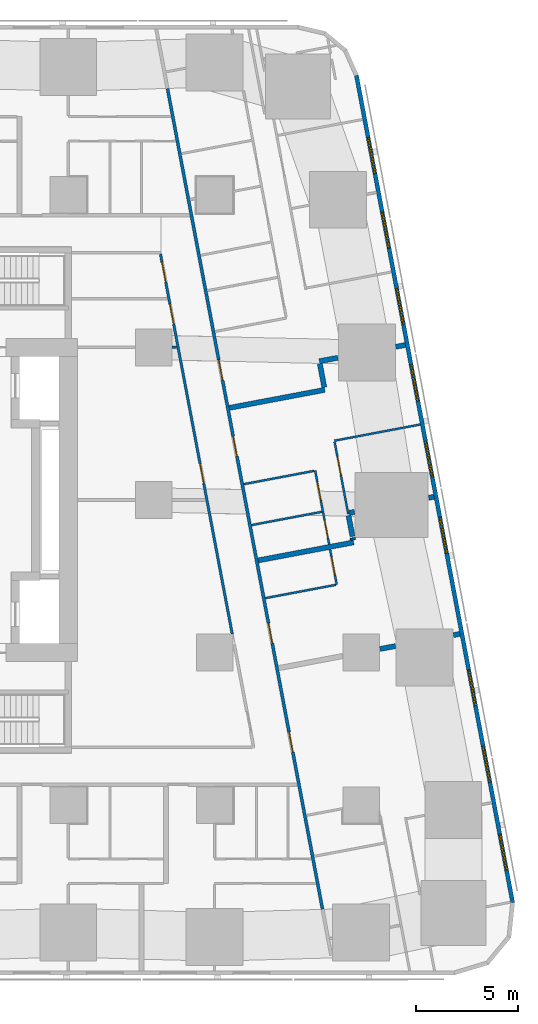
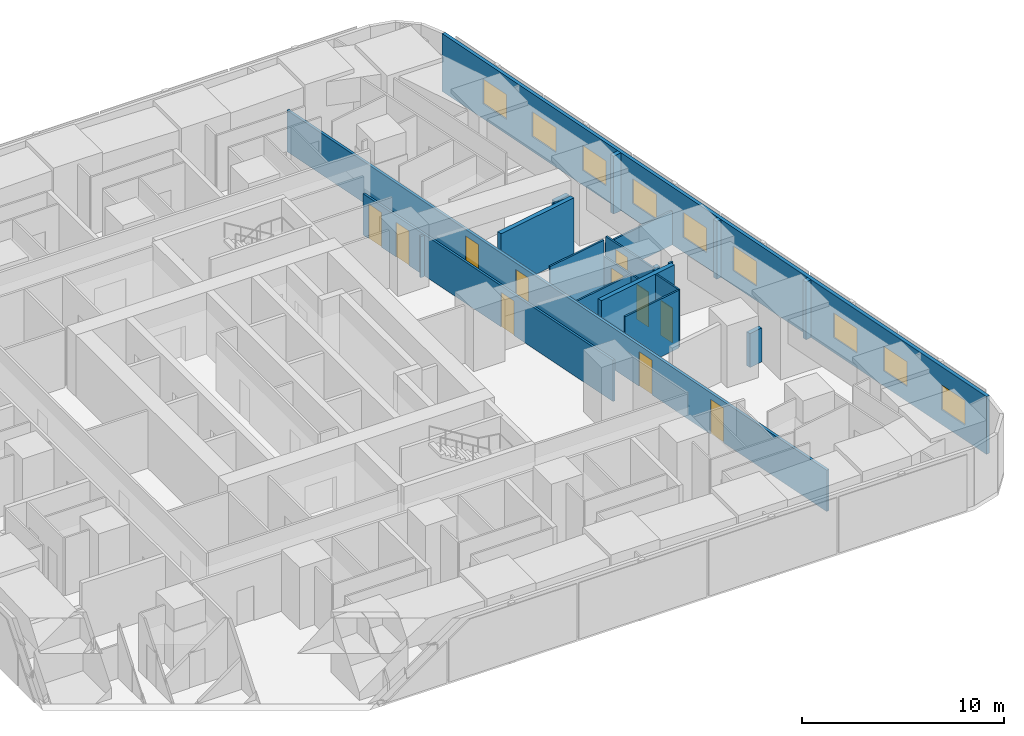
# One storey, part 7 of 15: 22 walls, 11 doors, 9 windows, 20 openings.
"""IFC4 building model written with IfcOpenShell, lengths in metres."""

from ifc_helpers import new_model, si_unit, direction, frame, frame_2d, origin, place, context, subcontext, project, spatial, rectangle, extrude, material, layer, layer_set, type_object, element, fill, save


model = new_model("IFC4")

# Units and contexts
model_context = context("Model", 3, precision=1e-05, world=origin(), true_north=direction((0.0, 1.0)))
body_context = subcontext(model_context, "Body", "Model", "MODEL_VIEW")
ifc_project = project(units=[si_unit("LENGTHUNIT", "METRE"), si_unit("AREAUNIT", "SQUARE_METRE"), si_unit("VOLUMEUNIT", "CUBIC_METRE"), si_unit("PLANEANGLEUNIT", "RADIAN"), si_unit("MASSUNIT", "GRAM", prefix="KILO")], contexts=[model_context])

# Site, building, storey
site_placement = place(None, origin())
site = spatial("IfcSite", under=ifc_project, at=site_placement, CompositionType="ELEMENT")
building_placement = place(site_placement, origin())
building = spatial("IfcBuilding", under=site, at=building_placement, Name="Sheger Commons Tower", CompositionType="ELEMENT")
storey_placement = place(building_placement, frame((0.0, 0.0, 65.0)))
storey = spatial("IfcBuildingStorey", under=building, at=storey_placement, Name="L16", CompositionType="ELEMENT", Elevation=65.0)

# Wall, openings, doors
ifc_material_1 = material(Name="Hollow concrete block masonry, skimmed both sides", Category="masonry")
ifc_layer_1 = layer(ifc_material_1, 0.14990234375)
ifc_layer_set_1 = layer_set([ifc_layer_1], Name="CORRIDOR WALL 150")
wall_type_1 = type_object("IfcWallType", Name="CORRIDOR WALL 150", PredefinedType="SOLIDWALL", material=ifc_layer_set_1)
wall_1_placement = place(storey_placement, frame((33.679931640625, 42.722900390625, 0.0), z_axis=(0.0, 0.0, 1.0), x_axis=(0.185624129307, -0.98262082342, 0.0)))
wall_1 = element("IfcWall", 1, at=wall_1_placement, inside=storey, type_object=wall_type_1, Name="Corridor wall L16", PredefinedType="SOLIDWALL", context=body_context, shape_type="SweptSolid", body=[
    extrude(rectangle(XDim=41.05126953125, YDim=0.14990234375, at=frame_2d((20.525634765625, 0.0))), origin(), (0.0, 0.0, 1.0), 2.5),
])
opening_1_placement = place(wall_1_placement, frame((13.576904296875, 0.0, 0.0)))
opening_1 = element("IfcOpeningElement", 2, at=opening_1_placement, cuts=wall_1, Name="Opening D1", PredefinedType="OPENING", context=body_context, shape_type="SweptSolid", body=[
    extrude(rectangle(XDim=1.0, YDim=2.10009765625, at=frame_2d((0.5, 1.050048828125))), frame((0.0, 0.0849609375, 0.0), z_axis=(0.0, -1.0, 0.0), x_axis=(1.0, 0.0, 0.0)), (0.0, 0.0, 1.0), 0.169921875),
])
opening_2_placement = place(wall_1_placement, frame((17.39404296875, 0.0, 0.0)))
opening_2 = element("IfcOpeningElement", 3, at=opening_2_placement, cuts=wall_1, Name="Opening D1", PredefinedType="OPENING", context=body_context, shape_type="SweptSolid", body=[
    extrude(rectangle(XDim=1.0, YDim=2.10009765625, at=frame_2d((0.5, 1.050048828125))), frame((0.0, 0.0849609375, 0.0), z_axis=(0.0, -1.0, 0.0), x_axis=(1.0, 0.0, 0.0)), (0.0, 0.0, 1.0), 0.169921875),
])
opening_3_placement = place(wall_1_placement, frame((26.758056640625, 0.0, 0.0)))
opening_3 = element("IfcOpeningElement", 4, at=opening_3_placement, cuts=wall_1, Name="Opening D1", PredefinedType="OPENING", context=body_context, shape_type="SweptSolid", body=[
    extrude(rectangle(XDim=1.0, YDim=2.10009765625, at=frame_2d((0.5, 1.050048828125))), frame((0.0, 0.0849609375, 0.0), z_axis=(0.0, -1.0, 0.0), x_axis=(1.0, 0.0, 0.0)), (0.0, 0.0, 1.0), 0.169921875),
])
opening_4_placement = place(wall_1_placement, frame((32.193115234375, 0.0, 0.0)))
opening_4 = element("IfcOpeningElement", 5, at=opening_4_placement, cuts=wall_1, Name="Opening D1", PredefinedType="OPENING", context=body_context, shape_type="SweptSolid", body=[
    extrude(rectangle(XDim=1.0, YDim=2.10009765625, at=frame_2d((0.5, 1.050048828125))), frame((0.0, 0.0849609375, 0.0), z_axis=(0.0, -1.0, 0.0), x_axis=(1.0, 0.0, 0.0)), (0.0, 0.0, 1.0), 0.169921875),
])
ifc_material_2 = material(Name="Steel door set, fire rated", Category="steel")
door_type_1 = type_object("IfcDoorType", Name="FLAT ENTRANCE DOOR 1000x2100", OperationType="NOTDEFINED", PredefinedType="DOOR", material=ifc_material_2)
door_1_placement = place(opening_1_placement, origin())
door_1 = element("IfcDoor", 6, at=door_1_placement, inside=storey, type_object=door_type_1, Name="Flat entrance door", OperationType="SINGLE_SWING_RIGHT", OverallHeight=2.10009765625, OverallWidth=1.0, PredefinedType="DOOR", context=body_context, shape_type="SweptSolid", body=[
    extrude(rectangle(XDim=1.0, YDim=2.10009765625, at=frame_2d((0.5, 1.050048828125))), frame((0.0, 0.02490234375, 0.0), z_axis=(0.0, -1.0, 0.0), x_axis=(1.0, 0.0, 0.0)), (0.0, 0.0, 1.0), 0.050048828125),
])
fill(opening_1, door_1)
door_2_placement = place(opening_2_placement, origin())
door_2 = element("IfcDoor", 7, at=door_2_placement, inside=storey, type_object=door_type_1, Name="Flat entrance door", OperationType="SINGLE_SWING_RIGHT", OverallHeight=2.10009765625, OverallWidth=1.0, PredefinedType="DOOR", context=body_context, shape_type="SweptSolid", body=[
    extrude(rectangle(XDim=1.0, YDim=2.10009765625, at=frame_2d((0.5, 1.050048828125))), frame((0.0, 0.02490234375, 0.0), z_axis=(0.0, -1.0, 0.0), x_axis=(1.0, 0.0, 0.0)), (0.0, 0.0, 1.0), 0.050048828125),
])
fill(opening_2, door_2)
door_3_placement = place(opening_3_placement, origin())
door_3 = element("IfcDoor", 8, at=door_3_placement, inside=storey, type_object=door_type_1, Name="Flat entrance door", OperationType="SINGLE_SWING_LEFT", OverallHeight=2.10009765625, OverallWidth=1.0, PredefinedType="DOOR", context=body_context, shape_type="SweptSolid", body=[
    extrude(rectangle(XDim=1.0, YDim=2.10009765625, at=frame_2d((0.5, 1.050048828125))), frame((0.0, 0.02490234375, 0.0), z_axis=(0.0, -1.0, 0.0), x_axis=(1.0, 0.0, 0.0)), (0.0, 0.0, 1.0), 0.050048828125),
])
fill(opening_3, door_3)
door_4_placement = place(opening_4_placement, origin())
door_4 = element("IfcDoor", 9, at=door_4_placement, inside=storey, type_object=door_type_1, Name="Flat entrance door", OperationType="SINGLE_SWING_RIGHT", OverallHeight=2.10009765625, OverallWidth=1.0, PredefinedType="DOOR", context=body_context, shape_type="SweptSolid", body=[
    extrude(rectangle(XDim=1.0, YDim=2.10009765625, at=frame_2d((0.5, 1.050048828125))), frame((0.0, 0.02490234375, 0.0), z_axis=(0.0, -1.0, 0.0), x_axis=(1.0, 0.0, 0.0)), (0.0, 0.0, 1.0), 0.050048828125),
])
fill(opening_4, door_4)

# Walls
ifc_material_3 = material(Name="Dense concrete block masonry, plastered both sides (separating wall between flats)", Category="masonry")
ifc_layer_2 = layer(ifc_material_3, 0.25)
ifc_layer_set_2 = layer_set([ifc_layer_2], Name="DEMISING WALL 250")
wall_type_2 = type_object("IfcWallType", Name="DEMISING WALL 250", PredefinedType="SOLIDWALL", material=ifc_layer_set_2)
wall_2_placement = place(storey_placement, frame((45.3720703125, 30.12109375, 0.0), z_axis=(0.0, 0.0, 1.0), x_axis=(-0.982352019699, -0.187041464366, 0.0)))
element("IfcWall", 10, at=wall_2_placement, inside=storey, type_object=wall_type_2, Name="Demising wall L16", PredefinedType="SOLIDWALL", context=body_context, shape_type="SweptSolid", body=[
    extrude(rectangle(XDim=0.476318359375, YDim=0.25, at=frame_2d((0.23828125, 0.0))), origin(), (0.0, 0.0, 1.0), 3.5),
])
wall_3_placement = place(storey_placement, frame((42.055908203125, 29.493896484375, 0.0), z_axis=(0.0, 0.0, 1.0), x_axis=(-0.982587178881, -0.185802141803, 0.0)))
element("IfcWall", 11, at=wall_3_placement, inside=storey, type_object=wall_type_2, Name="Demising wall L16", PredefinedType="SOLIDWALL", context=body_context, shape_type="SweptSolid", body=[
    extrude(rectangle(XDim=0.925048828125, YDim=0.25, at=frame_2d((0.46240234375, 0.0))), origin(), (0.0, 0.0, 1.0), 2.5),
])
wall_4_placement = place(storey_placement, frame((41.4130859375, 27.9150390625, 0.0), z_axis=(0.0, 0.0, 1.0), x_axis=(-0.982635807605, -0.185544791394, 0.0)))
element("IfcWall", 12, at=wall_4_placement, inside=storey, type_object=wall_type_2, Name="Demising wall L16", PredefinedType="SOLIDWALL", context=body_context, shape_type="SweptSolid", body=[
    extrude(rectangle(XDim=4.775146484375, YDim=0.25, at=frame_2d((2.3876953125, 0.0))), origin(), (0.0, 0.0, 1.0), 3.5),
])
wall_5_placement = place(storey_placement, frame((41.169921875, 29.199951171875, 0.0), z_axis=(0.0, 0.0, 1.0), x_axis=(0.185223510709, -0.982696418575, 0.0)))
element("IfcWall", 13, at=wall_5_placement, inside=storey, type_object=wall_type_2, Name="Demising wall L16", PredefinedType="SOLIDWALL", context=body_context, shape_type="SweptSolid", body=[
    extrude(rectangle(XDim=1.182373046875, YDim=0.25, at=frame_2d((0.59130859375, 0.0))), origin(), (0.0, 0.0, 1.0), 2.5),
])
wall_6_placement = place(storey_placement, frame((46.781982421875, 22.656982421875, 0.0), z_axis=(0.0, 0.0, 1.0), x_axis=(-0.982778390997, -0.18478807913, 0.0)))
element("IfcWall", 14, at=wall_6_placement, inside=storey, type_object=wall_type_2, Name="Demising wall L16", PredefinedType="SOLIDWALL", context=body_context, shape_type="SweptSolid", body=[
    extrude(rectangle(XDim=0.265625, YDim=0.25, at=frame_2d((0.1328125, 0.0))), origin(), (0.0, 0.0, 1.0), 3.5),
])
wall_7_placement = place(storey_placement, frame((42.873046875, 21.91796875, 0.0), z_axis=(0.0, 0.0, 1.0), x_axis=(-0.982892522967, -0.184180043152, 0.0)))
element("IfcWall", 15, at=wall_7_placement, inside=storey, type_object=wall_type_2, Name="Demising wall L16", PredefinedType="SOLIDWALL", context=body_context, shape_type="SweptSolid", body=[
    extrude(rectangle(XDim=0.271728515625, YDim=0.25, at=frame_2d((0.1357421875, 0.0))), origin(), (0.0, 0.0, 1.0), 2.5),
])
wall_8_placement = place(storey_placement, frame((42.8291015625, 20.416015625, 0.0), z_axis=(0.0, 0.0, 1.0), x_axis=(-0.982635807605, -0.185544791394, 0.0)))
element("IfcWall", 16, at=wall_8_placement, inside=storey, type_object=wall_type_2, Name="Demising wall L16", PredefinedType="SOLIDWALL", context=body_context, shape_type="SweptSolid", body=[
    extrude(rectangle(XDim=4.775146484375, YDim=0.25, at=frame_2d((2.3876953125, 0.0))), origin(), (0.0, 0.0, 1.0), 3.5),
])
wall_9_placement = place(storey_placement, frame((42.580078125, 21.736083984375, 0.0), z_axis=(0.0, 0.0, 1.0), x_axis=(0.185458925981, -0.982652017132, 0.0)))
element("IfcWall", 17, at=wall_9_placement, inside=storey, type_object=wall_type_2, Name="Demising wall L16", PredefinedType="SOLIDWALL", context=body_context, shape_type="SweptSolid", body=[
    extrude(rectangle(XDim=1.045166015625, YDim=0.25, at=frame_2d((0.5224609375, 0.0))), origin(), (0.0, 0.0, 1.0), 2.5),
])
wall_10_placement = place(storey_placement, frame((42.787109375, 20.638916015625, 0.0), z_axis=(0.0, 0.0, 1.0), x_axis=(0.185013851593, -0.982735913009, 0.0)))
element("IfcWall", 18, at=wall_10_placement, inside=storey, type_object=wall_type_2, Name="Demising wall L16", PredefinedType="SOLIDWALL", context=body_context, shape_type="SweptSolid", body=[
    extrude(rectangle(XDim=0.1015625, YDim=0.25, at=frame_2d((0.05078125, 0.0))), origin(), (0.0, 0.0, 1.0), 3.5),
])
wall_11_placement = place(storey_placement, frame((48.054931640625, 15.9169921875, 0.0), z_axis=(0.0, 0.0, 1.0), x_axis=(-0.982510408223, -0.186207673669, 0.0)))
element("IfcWall", 19, at=wall_11_placement, inside=storey, type_object=wall_type_2, Name="Demising wall L16", PredefinedType="SOLIDWALL", context=body_context, shape_type="SweptSolid", body=[
    extrude(rectangle(XDim=0.322509765625, YDim=0.25, at=frame_2d((0.1611328125, 0.0))), origin(), (0.0, 0.0, 1.0), 3.5),
])
wall_12_placement = place(storey_placement, frame((44.889892578125, 15.319091796875, 0.0), z_axis=(0.0, 0.0, 1.0), x_axis=(-0.982540856152, -0.186046945666, 0.0)))
element("IfcWall", 20, at=wall_12_placement, inside=storey, type_object=wall_type_2, Name="Demising wall L16", PredefinedType="SOLIDWALL", context=body_context, shape_type="SweptSolid", body=[
    extrude(rectangle(XDim=0.779541015625, YDim=0.25, at=frame_2d((0.3896484375, 0.0))), origin(), (0.0, 0.0, 1.0), 2.050048828125),
])

# Wall, openings, windows
ifc_material_4 = material(Name="Rendered concrete block masonry, dark grey", Category="masonry")
ifc_layer_3 = layer(ifc_material_4, 0.199951171875)
ifc_layer_set_3 = layer_set([ifc_layer_3], Name="FACADE WALL 200")
wall_type_3 = type_object("IfcWallType", Name="FACADE WALL 200", PredefinedType="SOLIDWALL", material=ifc_layer_set_3)
wall_13_placement = place(storey_placement, frame((50.653076171875, 2.702880859375, 0.0), z_axis=(0.0, 0.0, 1.0), x_axis=(-0.185612026696, 0.982623109613, 0.0)))
wall_13 = element("IfcWall", 21, at=wall_13_placement, inside=storey, type_object=wall_type_3, Name="Facade wall L16", PredefinedType="SOLIDWALL", context=body_context, shape_type="SweptSolid", body=[
    extrude(rectangle(XDim=41.393310546875, YDim=0.199951171875, at=frame_2d((20.69677734375, 0.0))), origin(), (0.0, 0.0, 1.0), 3.5),
])
opening_5_placement = place(wall_13_placement, frame((1.633056640625, 0.0, 0.89990234375)))
opening_5 = element("IfcOpeningElement", 22, at=opening_5_placement, cuts=wall_13, Name="Opening W2", PredefinedType="OPENING", context=body_context, shape_type="SweptSolid", body=[
    extrude(rectangle(XDim=1.800048828125, YDim=1.5, at=frame_2d((0.89990234375, 0.75))), frame((0.0, 0.10986328125, 0.0), z_axis=(0.0, -1.0, 0.0), x_axis=(1.0, 0.0, 0.0)), (0.0, 0.0, 1.0), 0.219970703125),
])
opening_6_placement = place(wall_13_placement, frame((6.031982421875, 0.0, 0.89990234375)))
opening_6 = element("IfcOpeningElement", 23, at=opening_6_placement, cuts=wall_13, Name="Opening W2", PredefinedType="OPENING", context=body_context, shape_type="SweptSolid", body=[
    extrude(rectangle(XDim=1.800048828125, YDim=1.5, at=frame_2d((0.89990234375, 0.75))), frame((0.0, 0.10986328125, 0.0), z_axis=(0.0, -1.0, 0.0), x_axis=(1.0, 0.0, 0.0)), (0.0, 0.0, 1.0), 0.219970703125),
])
opening_7_placement = place(wall_13_placement, frame((9.847900390625, 0.0, 0.89990234375)))
opening_7 = element("IfcOpeningElement", 24, at=opening_7_placement, cuts=wall_13, Name="Opening W2", PredefinedType="OPENING", context=body_context, shape_type="SweptSolid", body=[
    extrude(rectangle(XDim=1.800048828125, YDim=1.5, at=frame_2d((0.89990234375, 0.75))), frame((0.0, 0.10986328125, 0.0), z_axis=(0.0, -1.0, 0.0), x_axis=(1.0, 0.0, 0.0)), (0.0, 0.0, 1.0), 0.219970703125),
])
opening_8_placement = place(wall_13_placement, frame((17.48095703125, 0.0, 0.89990234375)))
opening_8 = element("IfcOpeningElement", 25, at=opening_8_placement, cuts=wall_13, Name="Opening W2", PredefinedType="OPENING", context=body_context, shape_type="SweptSolid", body=[
    extrude(rectangle(XDim=1.800048828125, YDim=1.5, at=frame_2d((0.89990234375, 0.75))), frame((0.0, 0.10986328125, 0.0), z_axis=(0.0, -1.0, 0.0), x_axis=(1.0, 0.0, 0.0)), (0.0, 0.0, 1.0), 0.219970703125),
])
opening_9_placement = place(wall_13_placement, frame((21.297119140625, 0.0, 0.89990234375)))
opening_9 = element("IfcOpeningElement", 26, at=opening_9_placement, cuts=wall_13, Name="Opening W2", PredefinedType="OPENING", context=body_context, shape_type="SweptSolid", body=[
    extrude(rectangle(XDim=1.800048828125, YDim=1.5, at=frame_2d((0.89990234375, 0.75))), frame((0.0, 0.10986328125, 0.0), z_axis=(0.0, -1.0, 0.0), x_axis=(1.0, 0.0, 0.0)), (0.0, 0.0, 1.0), 0.219970703125),
])
opening_10_placement = place(wall_13_placement, frame((25.113037109375, 0.0, 0.89990234375)))
opening_10 = element("IfcOpeningElement", 27, at=opening_10_placement, cuts=wall_13, Name="Opening W2", PredefinedType="OPENING", context=body_context, shape_type="SweptSolid", body=[
    extrude(rectangle(XDim=1.800048828125, YDim=1.5, at=frame_2d((0.89990234375, 0.75))), frame((0.0, 0.10986328125, 0.0), z_axis=(0.0, -1.0, 0.0), x_axis=(1.0, 0.0, 0.0)), (0.0, 0.0, 1.0), 0.219970703125),
])
opening_11_placement = place(wall_13_placement, frame((28.929931640625, 0.0, 0.89990234375)))
opening_11 = element("IfcOpeningElement", 28, at=opening_11_placement, cuts=wall_13, Name="Opening W2", PredefinedType="OPENING", context=body_context, shape_type="SweptSolid", body=[
    extrude(rectangle(XDim=1.800048828125, YDim=1.5, at=frame_2d((0.89990234375, 0.75))), frame((0.0, 0.10986328125, 0.0), z_axis=(0.0, -1.0, 0.0), x_axis=(1.0, 0.0, 0.0)), (0.0, 0.0, 1.0), 0.219970703125),
])
opening_12_placement = place(wall_13_placement, frame((32.74609375, 0.0, 0.89990234375)))
opening_12 = element("IfcOpeningElement", 29, at=opening_12_placement, cuts=wall_13, Name="Opening W2", PredefinedType="OPENING", context=body_context, shape_type="SweptSolid", body=[
    extrude(rectangle(XDim=1.800048828125, YDim=1.5, at=frame_2d((0.89990234375, 0.75))), frame((0.0, 0.10986328125, 0.0), z_axis=(0.0, -1.0, 0.0), x_axis=(1.0, 0.0, 0.0)), (0.0, 0.0, 1.0), 0.219970703125),
])
opening_13_placement = place(wall_13_placement, frame((36.48095703125, 0.0, 0.89990234375)))
opening_13 = element("IfcOpeningElement", 30, at=opening_13_placement, cuts=wall_13, Name="Opening W2", PredefinedType="OPENING", context=body_context, shape_type="SweptSolid", body=[
    extrude(rectangle(XDim=1.800048828125, YDim=1.5, at=frame_2d((0.89990234375, 0.75))), frame((0.0, 0.10986328125, 0.0), z_axis=(0.0, -1.0, 0.0), x_axis=(1.0, 0.0, 0.0)), (0.0, 0.0, 1.0), 0.219970703125),
])
ifc_material_5 = material(Name="Black aluminium frame, dark tinted double glazing", Category="aluminium")
window_type = type_object("IfcWindowType", Name="WINDOW W2 1800x1500", PartitioningType="SINGLE_PANEL", PredefinedType="WINDOW", material=ifc_material_5)
window_1_placement = place(opening_5_placement, origin())
window_1 = element("IfcWindow", 31, at=window_1_placement, inside=storey, type_object=window_type, Name="Window W2 1800X1500", OverallHeight=1.5, OverallWidth=1.800048828125, PartitioningType="SINGLE_PANEL", PredefinedType="WINDOW", context=body_context, shape_type="SweptSolid", body=[
    extrude(rectangle(XDim=1.800048828125, YDim=1.5, at=frame_2d((0.89990234375, 0.75))), frame((0.0, 0.030029296875, 0.0), z_axis=(0.0, -1.0, 0.0), x_axis=(1.0, 0.0, 0.0)), (0.0, 0.0, 1.0), 0.06005859375),
])
fill(opening_5, window_1)
window_2_placement = place(opening_6_placement, origin())
window_2 = element("IfcWindow", 32, at=window_2_placement, inside=storey, type_object=window_type, Name="Window W2 1800X1500", OverallHeight=1.5, OverallWidth=1.800048828125, PartitioningType="SINGLE_PANEL", PredefinedType="WINDOW", context=body_context, shape_type="SweptSolid", body=[
    extrude(rectangle(XDim=1.800048828125, YDim=1.5, at=frame_2d((0.89990234375, 0.75))), frame((0.0, 0.030029296875, 0.0), z_axis=(0.0, -1.0, 0.0), x_axis=(1.0, 0.0, 0.0)), (0.0, 0.0, 1.0), 0.06005859375),
])
fill(opening_6, window_2)
window_3_placement = place(opening_7_placement, origin())
window_3 = element("IfcWindow", 33, at=window_3_placement, inside=storey, type_object=window_type, Name="Window W2 1800X1500", OverallHeight=1.5, OverallWidth=1.800048828125, PartitioningType="SINGLE_PANEL", PredefinedType="WINDOW", context=body_context, shape_type="SweptSolid", body=[
    extrude(rectangle(XDim=1.800048828125, YDim=1.5, at=frame_2d((0.89990234375, 0.75))), frame((0.0, 0.030029296875, 0.0), z_axis=(0.0, -1.0, 0.0), x_axis=(1.0, 0.0, 0.0)), (0.0, 0.0, 1.0), 0.06005859375),
])
fill(opening_7, window_3)
window_4_placement = place(opening_8_placement, origin())
window_4 = element("IfcWindow", 34, at=window_4_placement, inside=storey, type_object=window_type, Name="Window W2 1800X1500", OverallHeight=1.5, OverallWidth=1.800048828125, PartitioningType="SINGLE_PANEL", PredefinedType="WINDOW", context=body_context, shape_type="SweptSolid", body=[
    extrude(rectangle(XDim=1.800048828125, YDim=1.5, at=frame_2d((0.89990234375, 0.75))), frame((0.0, 0.030029296875, 0.0), z_axis=(0.0, -1.0, 0.0), x_axis=(1.0, 0.0, 0.0)), (0.0, 0.0, 1.0), 0.06005859375),
])
fill(opening_8, window_4)
window_5_placement = place(opening_9_placement, origin())
window_5 = element("IfcWindow", 35, at=window_5_placement, inside=storey, type_object=window_type, Name="Window W2 1800X1500", OverallHeight=1.5, OverallWidth=1.800048828125, PartitioningType="SINGLE_PANEL", PredefinedType="WINDOW", context=body_context, shape_type="SweptSolid", body=[
    extrude(rectangle(XDim=1.800048828125, YDim=1.5, at=frame_2d((0.89990234375, 0.75))), frame((0.0, 0.030029296875, 0.0), z_axis=(0.0, -1.0, 0.0), x_axis=(1.0, 0.0, 0.0)), (0.0, 0.0, 1.0), 0.06005859375),
])
fill(opening_9, window_5)
window_6_placement = place(opening_10_placement, origin())
window_6 = element("IfcWindow", 36, at=window_6_placement, inside=storey, type_object=window_type, Name="Window W2 1800X1500", OverallHeight=1.5, OverallWidth=1.800048828125, PartitioningType="SINGLE_PANEL", PredefinedType="WINDOW", context=body_context, shape_type="SweptSolid", body=[
    extrude(rectangle(XDim=1.800048828125, YDim=1.5, at=frame_2d((0.89990234375, 0.75))), frame((0.0, 0.030029296875, 0.0), z_axis=(0.0, -1.0, 0.0), x_axis=(1.0, 0.0, 0.0)), (0.0, 0.0, 1.0), 0.06005859375),
])
fill(opening_10, window_6)
window_7_placement = place(opening_11_placement, origin())
window_7 = element("IfcWindow", 37, at=window_7_placement, inside=storey, type_object=window_type, Name="Window W2 1800X1500", OverallHeight=1.5, OverallWidth=1.800048828125, PartitioningType="SINGLE_PANEL", PredefinedType="WINDOW", context=body_context, shape_type="SweptSolid", body=[
    extrude(rectangle(XDim=1.800048828125, YDim=1.5, at=frame_2d((0.89990234375, 0.75))), frame((0.0, 0.030029296875, 0.0), z_axis=(0.0, -1.0, 0.0), x_axis=(1.0, 0.0, 0.0)), (0.0, 0.0, 1.0), 0.06005859375),
])
fill(opening_11, window_7)
window_8_placement = place(opening_12_placement, origin())
window_8 = element("IfcWindow", 38, at=window_8_placement, inside=storey, type_object=window_type, Name="Window W2 1800X1500", OverallHeight=1.5, OverallWidth=1.800048828125, PartitioningType="SINGLE_PANEL", PredefinedType="WINDOW", context=body_context, shape_type="SweptSolid", body=[
    extrude(rectangle(XDim=1.800048828125, YDim=1.5, at=frame_2d((0.89990234375, 0.75))), frame((0.0, 0.030029296875, 0.0), z_axis=(0.0, -1.0, 0.0), x_axis=(1.0, 0.0, 0.0)), (0.0, 0.0, 1.0), 0.06005859375),
])
fill(opening_12, window_8)
window_9_placement = place(opening_13_placement, origin())
window_9 = element("IfcWindow", 39, at=window_9_placement, inside=storey, type_object=window_type, Name="Window W2 1800X1500", OverallHeight=1.5, OverallWidth=1.800048828125, PartitioningType="SINGLE_PANEL", PredefinedType="WINDOW", context=body_context, shape_type="SweptSolid", body=[
    extrude(rectangle(XDim=1.800048828125, YDim=1.5, at=frame_2d((0.89990234375, 0.75))), frame((0.0, 0.030029296875, 0.0), z_axis=(0.0, -1.0, 0.0), x_axis=(1.0, 0.0, 0.0)), (0.0, 0.0, 1.0), 0.06005859375),
])
fill(opening_13, window_9)

# Wall, opening, door
ifc_material_6 = material(Name="Gypsum board on steel studs", Category="steel")
ifc_layer_4 = layer(ifc_material_6, 0.10009765625)
ifc_layer_set_4 = layer_set([ifc_layer_4], Name="PARTITION 100")
wall_type_4 = type_object("IfcWallType", Name="PARTITION 100", PredefinedType="PARTITIONING", material=ifc_layer_set_4)
wall_14_placement = place(storey_placement, frame((41.89404296875, 25.365966796875, 0.0), z_axis=(0.0, 0.0, 1.0), x_axis=(0.185611839851, -0.982623144907, 0.0)))
wall_14 = element("IfcWall", 40, at=wall_14_placement, inside=storey, type_object=wall_type_4, Name="Partition L16", PredefinedType="PARTITIONING", context=body_context, shape_type="SweptSolid", body=[
    extrude(rectangle(XDim=3.619873046875, YDim=0.10009765625, at=frame_2d((1.81005859375, 0.0))), origin(), (0.0, 0.0, 1.0), 2.5),
])
opening_14_placement = place(wall_14_placement, frame((0.75, 0.0, 0.0)))
opening_14 = element("IfcOpeningElement", 41, at=opening_14_placement, cuts=wall_14, Name="Opening D2", PredefinedType="OPENING", context=body_context, shape_type="SweptSolid", body=[
    extrude(rectangle(XDim=0.89990234375, YDim=2.10009765625, at=frame_2d((0.449951171875, 1.050048828125))), frame((0.0, 0.06005859375, 0.0), z_axis=(0.0, -1.0, 0.0), x_axis=(1.0, 0.0, 0.0)), (0.0, 0.0, 1.0), 0.1201171875),
])
ifc_material_7 = material(Name="Timber door set", Category="wood")
door_type_2 = type_object("IfcDoorType", Name="INTERNAL DOOR 900x2100", OperationType="NOTDEFINED", PredefinedType="DOOR", material=ifc_material_7)
door_5_placement = place(opening_14_placement, origin())
door_5 = element("IfcDoor", 42, at=door_5_placement, inside=storey, type_object=door_type_2, Name="Main bedroom door", OperationType="SINGLE_SWING_LEFT", OverallHeight=2.10009765625, OverallWidth=0.89990234375, PredefinedType="DOOR", context=body_context, shape_type="SweptSolid", body=[
    extrude(rectangle(XDim=0.89990234375, YDim=2.10009765625, at=frame_2d((0.449951171875, 1.050048828125))), frame((0.0, 0.02490234375, 0.0), z_axis=(0.0, -1.0, 0.0), x_axis=(1.0, 0.0, 0.0)), (0.0, 0.0, 1.0), 0.050048828125),
])
fill(opening_14, door_5)

# Wall, openings, doors
wall_15_placement = place(storey_placement, frame((40.94189453125, 23.943115234375, 0.0), z_axis=(0.0, 0.0, 1.0), x_axis=(0.185632361754, -0.982619268216, 0.0)))
wall_15 = element("IfcWall", 43, at=wall_15_placement, inside=storey, type_object=wall_type_4, Name="Partition L16", PredefinedType="PARTITIONING", context=body_context, shape_type="SweptSolid", body=[
    extrude(rectangle(XDim=3.68505859375, YDim=0.10009765625, at=frame_2d((1.842529296875, 0.0))), origin(), (0.0, 0.0, 1.0), 2.5),
])
opening_15_placement = place(wall_15_placement, frame((0.574951171875, 0.0, 0.0)))
opening_15 = element("IfcOpeningElement", 44, at=opening_15_placement, cuts=wall_15, Name="Opening D2", PredefinedType="OPENING", context=body_context, shape_type="SweptSolid", body=[
    extrude(rectangle(XDim=0.89990234375, YDim=2.10009765625, at=frame_2d((0.449951171875, 1.050048828125))), frame((0.0, 0.06005859375, 0.0), z_axis=(0.0, -1.0, 0.0), x_axis=(1.0, 0.0, 0.0)), (0.0, 0.0, 1.0), 0.1201171875),
])
opening_16_placement = place(wall_15_placement, frame((2.48291015625, 0.0, 0.0)))
opening_16 = element("IfcOpeningElement", 45, at=opening_16_placement, cuts=wall_15, Name="Opening D2", PredefinedType="OPENING", context=body_context, shape_type="SweptSolid", body=[
    extrude(rectangle(XDim=0.89990234375, YDim=2.10009765625, at=frame_2d((0.449951171875, 1.050048828125))), frame((0.0, 0.06005859375, 0.0), z_axis=(0.0, -1.0, 0.0), x_axis=(1.0, 0.0, 0.0)), (0.0, 0.0, 1.0), 0.1201171875),
])
door_6_placement = place(opening_15_placement, origin())
door_6 = element("IfcDoor", 46, at=door_6_placement, inside=storey, type_object=door_type_2, Name="Bathroom door", OperationType="SINGLE_SWING_RIGHT", OverallHeight=2.10009765625, OverallWidth=0.89990234375, PredefinedType="DOOR", context=body_context, shape_type="SweptSolid", body=[
    extrude(rectangle(XDim=0.89990234375, YDim=2.10009765625, at=frame_2d((0.449951171875, 1.050048828125))), frame((0.0, 0.02490234375, 0.0), z_axis=(0.0, -1.0, 0.0), x_axis=(1.0, 0.0, 0.0)), (0.0, 0.0, 1.0), 0.050048828125),
])
fill(opening_15, door_6)
door_7_placement = place(opening_16_placement, origin())
door_7 = element("IfcDoor", 47, at=door_7_placement, inside=storey, type_object=door_type_2, Name="Store door", OperationType="SINGLE_SWING_LEFT", OverallHeight=2.10009765625, OverallWidth=0.89990234375, PredefinedType="DOOR", context=body_context, shape_type="SweptSolid", body=[
    extrude(rectangle(XDim=0.89990234375, YDim=2.10009765625, at=frame_2d((0.449951171875, 1.050048828125))), frame((0.0, 0.02490234375, 0.0), z_axis=(0.0, -1.0, 0.0), x_axis=(1.0, 0.0, 0.0)), (0.0, 0.0, 1.0), 0.050048828125),
])
fill(opening_16, door_7)

# Walls
wall_16_placement = place(storey_placement, frame((46.110107421875, 26.212890625, 0.0), z_axis=(0.0, 0.0, 1.0), x_axis=(-0.982633535512, -0.185556823879, 0.0)))
element("IfcWall", 48, at=wall_16_placement, inside=storey, type_object=wall_type_4, Name="Partition L16", PredefinedType="PARTITIONING", context=body_context, shape_type="SweptSolid", body=[
    extrude(rectangle(XDim=4.2998046875, YDim=0.10009765625, at=frame_2d((2.14990234375, 0.0))), origin(), (0.0, 0.0, 1.0), 2.050048828125),
])
wall_17_placement = place(storey_placement, frame((40.89306640625, 23.93408203125, 0.0), z_axis=(0.0, 0.0, 1.0), x_axis=(-0.982588017646, -0.185797706064, 0.0)))
element("IfcWall", 49, at=wall_17_placement, inside=storey, type_object=wall_type_4, Name="Partition L16", PredefinedType="PARTITIONING", context=body_context, shape_type="SweptSolid", body=[
    extrude(rectangle(XDim=3.525390625, YDim=0.10009765625, at=frame_2d((1.7626953125, 0.0))), origin(), (0.0, 0.0, 1.0), 3.5),
])
wall_18_placement = place(storey_placement, frame((41.27294921875, 21.9189453125, 0.0), z_axis=(0.0, 0.0, 1.0), x_axis=(-0.982636169624, -0.185542874149, 0.0)))
element("IfcWall", 50, at=wall_18_placement, inside=storey, type_object=wall_type_4, Name="Partition L16", PredefinedType="PARTITIONING", context=body_context, shape_type="SweptSolid", body=[
    extrude(rectangle(XDim=3.525146484375, YDim=0.10009765625, at=frame_2d((1.7626953125, 0.0))), origin(), (0.0, 0.0, 1.0), 2.5),
])

# Wall, opening, door
wall_19_placement = place(storey_placement, frame((41.673095703125, 20.070068359375, 0.0), z_axis=(0.0, 0.0, 1.0), x_axis=(0.185783379659, -0.98259072652, 0.0)))
wall_19 = element("IfcWall", 51, at=wall_19_placement, inside=storey, type_object=wall_type_4, Name="Partition L16", PredefinedType="PARTITIONING", context=body_context, shape_type="SweptSolid", body=[
    extrude(rectangle(XDim=1.764892578125, YDim=0.10009765625, at=frame_2d((0.88232421875, 0.0))), origin(), (0.0, 0.0, 1.0), 3.5),
])
opening_17_placement = place(wall_19_placement, frame((0.3740234375, 0.0, 0.0)))
opening_17 = element("IfcOpeningElement", 52, at=opening_17_placement, cuts=wall_19, Name="Opening D2", PredefinedType="OPENING", context=body_context, shape_type="SweptSolid", body=[
    extrude(rectangle(XDim=0.89990234375, YDim=2.10009765625, at=frame_2d((0.449951171875, 1.050048828125))), frame((0.0, 0.06005859375, 0.0), z_axis=(0.0, -1.0, 0.0), x_axis=(1.0, 0.0, 0.0)), (0.0, 0.0, 1.0), 0.1201171875),
])
door_8_placement = place(opening_17_placement, origin())
door_8 = element("IfcDoor", 53, at=door_8_placement, inside=storey, type_object=door_type_2, Name="Shower room door", OperationType="SINGLE_SWING_RIGHT", OverallHeight=2.10009765625, OverallWidth=0.89990234375, PredefinedType="DOOR", context=body_context, shape_type="SweptSolid", body=[
    extrude(rectangle(XDim=0.89990234375, YDim=2.10009765625, at=frame_2d((0.449951171875, 1.050048828125))), frame((0.0, 0.02490234375, 0.0), z_axis=(0.0, -1.0, 0.0), x_axis=(1.0, 0.0, 0.0)), (0.0, 0.0, 1.0), 0.050048828125),
])
fill(opening_17, door_8)

# Wall
wall_20_placement = place(storey_placement, frame((41.951904296875, 18.326904296875, 0.0), z_axis=(0.0, 0.0, 1.0), x_axis=(-0.982648794755, -0.185475998897, 0.0)))
element("IfcWall", 54, at=wall_20_placement, inside=storey, type_object=wall_type_4, Name="Partition L16", PredefinedType="PARTITIONING", context=body_context, shape_type="SweptSolid", body=[
    extrude(rectangle(XDim=3.525146484375, YDim=0.10009765625, at=frame_2d((1.7626953125, 0.0))), origin(), (0.0, 0.0, 1.0), 3.5),
])

# Wall, openings, doors
ifc_material_8 = material(Name="Gypsum board on steel studs, two layers each side, fire rated", Category="steel")
ifc_layer_5 = layer(ifc_material_8, 0.125)
ifc_layer_set_5 = layer_set([ifc_layer_5], Name="SERVICE WALL 125")
wall_type_5 = type_object("IfcWallType", Name="SERVICE WALL 125", PredefinedType="PARTITIONING", material=ifc_layer_set_5)
wall_21_placement = place(storey_placement, frame((36.861083984375, 15.9130859375, 0.0), z_axis=(0.0, 0.0, 1.0), x_axis=(-0.185588307143, 0.982627589808, 0.0)))
wall_21 = element("IfcWall", 55, at=wall_21_placement, inside=storey, type_object=wall_type_5, Name="Service room wall L16", PredefinedType="PARTITIONING", context=body_context, shape_type="SweptSolid", body=[
    extrude(rectangle(XDim=19.0048828125, YDim=0.125, at=frame_2d((9.50244140625, 0.0))), origin(), (0.0, 0.0, 1.0), 2.5),
])
opening_18_placement = place(wall_21_placement, frame((7.527099609375, 0.0, 0.0)))
opening_18 = element("IfcOpeningElement", 56, at=opening_18_placement, cuts=wall_21, Name="Opening D4", PredefinedType="OPENING", context=body_context, shape_type="SweptSolid", body=[
    extrude(rectangle(XDim=1.0, YDim=2.10009765625, at=frame_2d((0.5, 1.050048828125))), frame((0.0, 0.072509765625, 0.0), z_axis=(0.0, -1.0, 0.0), x_axis=(1.0, 0.0, 0.0)), (0.0, 0.0, 1.0), 0.14501953125),
])
opening_19_placement = place(wall_21_placement, frame((15.5, 0.0, 0.0)))
opening_19 = element("IfcOpeningElement", 57, at=opening_19_placement, cuts=wall_21, Name="Opening D4", PredefinedType="OPENING", context=body_context, shape_type="SweptSolid", body=[
    extrude(rectangle(XDim=1.0, YDim=2.10009765625, at=frame_2d((0.5, 1.050048828125))), frame((0.0, 0.072509765625, 0.0), z_axis=(0.0, -1.0, 0.0), x_axis=(1.0, 0.0, 0.0)), (0.0, 0.0, 1.0), 0.14501953125),
])
opening_20_placement = place(wall_21_placement, frame((17.60205078125, 0.0, 0.0)))
opening_20 = element("IfcOpeningElement", 58, at=opening_20_placement, cuts=wall_21, Name="Opening D4", PredefinedType="OPENING", context=body_context, shape_type="SweptSolid", body=[
    extrude(rectangle(XDim=1.0, YDim=2.10009765625, at=frame_2d((0.5, 1.050048828125))), frame((0.0, 0.072509765625, 0.0), z_axis=(0.0, -1.0, 0.0), x_axis=(1.0, 0.0, 0.0)), (0.0, 0.0, 1.0), 0.14501953125),
])
ifc_material_9 = material(Name="Steel door set, fire rated", Category="steel")
door_type_3 = type_object("IfcDoorType", Name="SERVICE DOOR 1000x2100", OperationType="NOTDEFINED", PredefinedType="DOOR", material=ifc_material_9)
door_9_placement = place(opening_18_placement, origin())
door_9 = element("IfcDoor", 59, at=door_9_placement, inside=storey, type_object=door_type_3, Name="Residents' meeting room door", OperationType="SINGLE_SWING_LEFT", OverallHeight=2.10009765625, OverallWidth=1.0, PredefinedType="DOOR", context=body_context, shape_type="SweptSolid", body=[
    extrude(rectangle(XDim=1.0, YDim=2.10009765625, at=frame_2d((0.5, 1.050048828125))), frame((0.0, 0.02490234375, 0.0), z_axis=(0.0, -1.0, 0.0), x_axis=(1.0, 0.0, 0.0)), (0.0, 0.0, 1.0), 0.050048828125),
])
fill(opening_18, door_9)
door_10_placement = place(opening_19_placement, origin())
door_10 = element("IfcDoor", 60, at=door_10_placement, inside=storey, type_object=door_type_3, Name="Residents' store door", OperationType="SINGLE_SWING_RIGHT", OverallHeight=2.10009765625, OverallWidth=1.0, PredefinedType="DOOR", context=body_context, shape_type="SweptSolid", body=[
    extrude(rectangle(XDim=1.0, YDim=2.10009765625, at=frame_2d((0.5, 1.050048828125))), frame((0.0, 0.02490234375, 0.0), z_axis=(0.0, -1.0, 0.0), x_axis=(1.0, 0.0, 0.0)), (0.0, 0.0, 1.0), 0.050048828125),
])
fill(opening_19, door_10)
door_11_placement = place(opening_20_placement, origin())
door_11 = element("IfcDoor", 61, at=door_11_placement, inside=storey, type_object=door_type_3, Name="Caretaker's store door", OperationType="SINGLE_SWING_RIGHT", OverallHeight=2.10009765625, OverallWidth=1.0, PredefinedType="DOOR", context=body_context, shape_type="SweptSolid", body=[
    extrude(rectangle(XDim=1.0, YDim=2.10009765625, at=frame_2d((0.5, 1.050048828125))), frame((0.0, 0.02490234375, 0.0), z_axis=(0.0, -1.0, 0.0), x_axis=(1.0, 0.0, 0.0)), (0.0, 0.0, 1.0), 0.050048828125),
])
fill(opening_20, door_11)

# Wall
wall_22_placement = place(storey_placement, frame((33.90087890625, 30.0, 0.0), z_axis=(0.0, 0.0, 1.0), x_axis=(1.0, 0.0, 0.0)))
element("IfcWall", 62, at=wall_22_placement, inside=storey, type_object=wall_type_5, Name="Service room wall L16", PredefinedType="PARTITIONING", context=body_context, shape_type="SweptSolid", body=[
    extrude(rectangle(XDim=0.22412109375, YDim=0.125, at=frame_2d((0.112060546875, 0.0))), origin(), (0.0, 0.0, 1.0), 2.5),
])

save(model, "model.ifc")
